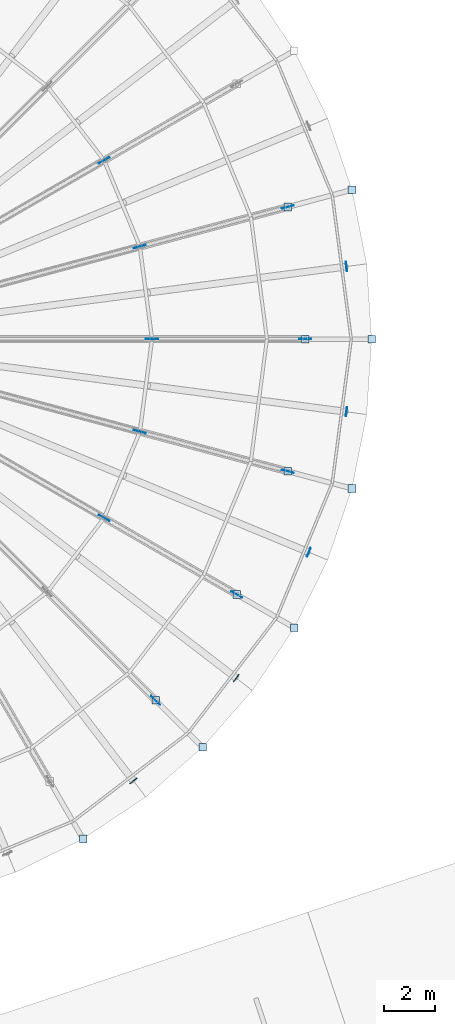
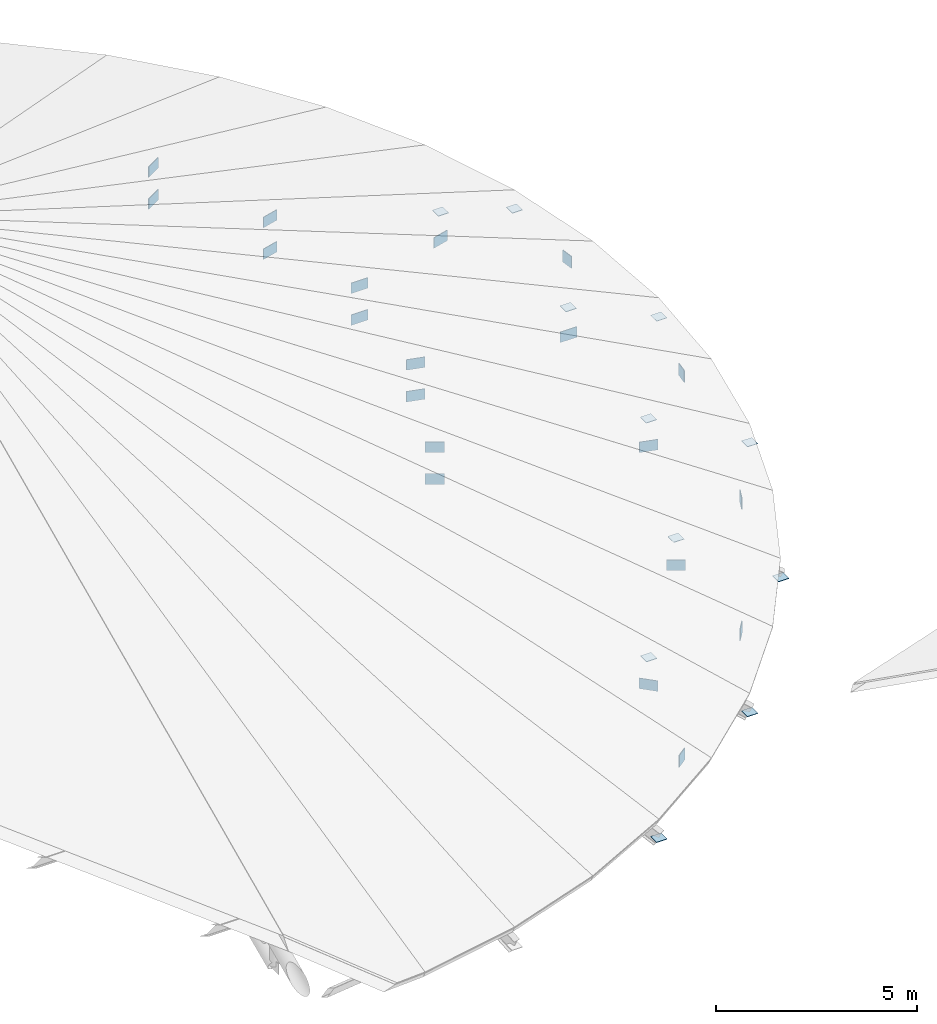
# One storey, part 94 of 107: 31 plates.
"""IFC4 building model written with IfcOpenShell, lengths in metres."""

from ifc_helpers import new_model, si_unit, derived_unit, direction, frame, origin, origin_2d, place, context, subcontext, project, spatial, rectangle, extrude, material, layer, layer_set, type_object, element, save


model = new_model("IFC4")

# Units and contexts
model_context = context("Model", 3, precision=1e-05, world=origin(), true_north=direction((0.0, 1.0)))
body_context = subcontext(model_context, "Body", "Model", "MODEL_VIEW")
ifc_project = project(units=[si_unit("LENGTHUNIT", "METRE"), si_unit("AREAUNIT", "SQUARE_METRE"), si_unit("VOLUMEUNIT", "CUBIC_METRE"), si_unit("PLANEANGLEUNIT", "RADIAN"), si_unit("MASSUNIT", "GRAM", prefix="KILO"), si_unit("THERMODYNAMICTEMPERATUREUNIT", "KELVIN"), si_unit("TIMEUNIT", "SECOND"), derived_unit("THERMALTRANSMITTANCEUNIT", [(si_unit("MASSUNIT", "GRAM", prefix="KILO"), 1), (si_unit("THERMODYNAMICTEMPERATUREUNIT", "KELVIN"), -1), (si_unit("TIMEUNIT", "SECOND"), -3)])], contexts=[model_context])

# Site, building, storey
site_placement = place(None, origin())
site = spatial("IfcSite", under=ifc_project, at=site_placement, CompositionType="ELEMENT")
building_placement = place(site_placement, origin())
building = spatial("IfcBuilding", under=site, at=building_placement, Name="Cambertide Market Hall", CompositionType="ELEMENT")
storey_placement = place(building_placement, frame((0.0, 0.0, 18.300048828125)))
storey = spatial("IfcBuildingStorey", under=building, at=storey_placement, Name="RF", CompositionType="ELEMENT", Elevation=18.300048828125)

# Plates
ifc_material_1 = material(Name="Steel S355", Category="steel")
ifc_layer_1 = layer(ifc_material_1, 0.013916015625, Name="Steel End Cap Plate EC-02")
ifc_layer_set_1 = layer_set([ifc_layer_1], Name="Steel S355")
plate_type_1 = type_object("IfcPlateType", Name="Steel End Cap Plate EC-02", PredefinedType="USERDEFINED", material=ifc_layer_set_1)
for number, where, z_axis, x_axis, name in (
    (1, (116.300048828125, 52.427734375, -10.7529296875), (0.0, 0.0, 1.0), (1.0, 0.0, 0.0), "EC-CONE-E-04"),
    (2, (120.980712890625, 56.019287109375, -10.7529296875), (0.0, 0.0, 1.0), (1.0, 0.0, 0.0), "EC-CONE-E-06"),
    (3, (124.572265625, 60.699951171875, -10.7529296875), (0.0, 0.0, 1.0), (1.0, 0.0, 0.0), "EC-CONE-E-08"),
    (4, (126.829833984375, 66.150634765625, -10.7529296875), (0.0, 0.0, 1.0), (1.0, 0.0, 0.0), "EC-CONE-E-10"),
    (5, (127.60009765625, 72.0, -10.7529296875), (0.0, 0.0, 1.0), (1.0, 0.0, 0.0), "EC-CONE-E-12"),
    (6, (126.829833984375, 77.849365234375, -10.7529296875), (0.0, 0.0, 1.0), (1.0, 0.0, 0.0), "EC-CONE-E-14"),
    (7, (119.14208984375, 57.85791015625, -9.55712890625), (0.0, 0.0, 1.0), (1.0, 0.0, 0.0), "High-Bay Brace Connection End Cap Plate EC-BRN-178"),
    (8, (122.320556640625, 62.0, -9.55712890625), (0.0, 0.0, 1.0), (1.0, 0.0, 0.0), "High-Bay Brace Connection End Cap Plate EC-BRN-184"),
    (9, (124.318603515625, 66.82373046875, -9.55712890625), (0.0, 0.0, 1.0), (1.0, 0.0, 0.0), "High-Bay Brace Connection End Cap Plate EC-BRN-190"),
    (10, (125.0, 72.0, -9.55712890625), (0.0, 0.0, 1.0), (1.0, 0.0, 0.0), "High-Bay Brace Connection End Cap Plate EC-BRN-196"),
    (11, (124.318603515625, 77.17626953125, -9.55712890625), (0.0, 0.0, 1.0), (1.0, 0.0, 0.0), "High-Bay Brace Connection End Cap Plate EC-BRN-202"),
):
    element("IfcPlate", number, at=place(storey_placement, frame(where, z_axis=z_axis, x_axis=x_axis)), inside=storey, type_object=plate_type_1, Name=name, ObjectType="END CAP PLATE", PredefinedType="USERDEFINED", context=body_context, shape_type="SweptSolid", body=[
        extrude(rectangle(XDim=0.300048828125, YDim=0.300048828125, at=origin_2d()), origin(), (0.0, 0.0, 1.0), 0.013916015625),
    ])
ifc_material_2 = material(Name="Steel S355", Category="steel")
ifc_layer_2 = layer(ifc_material_2, 0.02392578125, Name="Steel End Cap Plate EC-03E")
ifc_layer_set_2 = layer_set([ifc_layer_2], Name="Steel S355")
plate_type_2 = type_object("IfcPlateType", Name="Steel End Cap Plate EC-03E", PredefinedType="USERDEFINED", material=ifc_layer_set_2)
for number, where, z_axis, x_axis, name in (
    (12, (118.27099609375, 54.704833984375, -10.55810546875), (0.0, 0.0, 1.0), (0.608761429009, -0.793353340291, 0.0), "Eave Rafter End Cap Plate E-05"),
    (13, (122.295166015625, 58.72900390625, -10.55810546875), (0.0, 0.0, 1.0), (0.793353340291, -0.608761429009, 0.0), "Eave Rafter End Cap Plate E-07"),
    (14, (125.140625, 63.657470703125, -10.55810546875), (0.0, 0.0, 1.0), (0.923879532511, -0.382683432365, 0.0), "Eave Rafter End Cap Plate E-09"),
    (15, (126.613525390625, 69.154541015625, -10.55810546875), (0.0, 0.0, 1.0), (0.991444861374, -0.13052619222, 0.0), "Eave Rafter End Cap Plate E-11"),
    (16, (126.613525390625, 74.845458984375, -10.55810546875), (0.0, 0.0, 1.0), (0.991444861374, 0.13052619222, 0.0), "Eave Rafter End Cap Plate E-13"),
):
    element("IfcPlate", number, at=place(storey_placement, frame(where, z_axis=z_axis, x_axis=x_axis)), inside=storey, type_object=plate_type_2, Name=name, ObjectType="END CAP PLATE", PredefinedType="USERDEFINED", context=body_context, shape_type="SweptSolid", body=[
        extrude(rectangle(XDim=0.02392578125, YDim=0.360107421875, at=origin_2d()), origin(), (0.0, 0.0, 1.0), 0.360107421875),
    ])
ifc_material_3 = material(Name="Steel S355", Category="steel")
ifc_layer_3 = layer(ifc_material_3, 0.01806640625, Name="Steel Gusset Plate GP-02")
ifc_layer_set_3 = layer_set([ifc_layer_3], Name="Steel S355")
plate_type_3 = type_object("IfcPlateType", Name="Steel Gusset Plate GP-02", PredefinedType="USERDEFINED", material=ifc_layer_set_3)
for number, where, z_axis, x_axis, name in (
    (17, (119.14208984375, 57.85791015625, -10.5400390625), (0.0, 0.0, 1.0), (-0.707106781187, 0.707106781187, 0.0), "High-Bay Brace Connection Gusset Plate GP-BRN-176"),
    (18, (117.124267578125, 65.0, -7.916015625), (0.0, 0.0, 1.0), (-0.866025403784, 0.5, 0.0), "High-Bay Brace Connection Gusset Plate GP-BRN-180"),
    (19, (122.320556640625, 62.0, -10.5400390625), (0.0, 0.0, 1.0), (-0.866025403784, 0.5, 0.0), "High-Bay Brace Connection Gusset Plate GP-BRN-182"),
    (20, (117.124267578125, 65.0, -6.9501953125), (0.0, 0.0, 1.0), (-0.866025403784, 0.5, 0.0), "High-Bay Brace Connection Gusset Plate GP-BRN-183"),
    (21, (118.52294921875, 68.37646484375, -7.916015625), (0.0, 0.0, 1.0), (-0.965925826289, 0.258819045103, 0.0), "High-Bay Brace Connection Gusset Plate GP-BRN-186"),
    (22, (124.318603515625, 66.82373046875, -10.5400390625), (0.0, 0.0, 1.0), (-0.965925826289, 0.258819045103, 0.0), "High-Bay Brace Connection Gusset Plate GP-BRN-188"),
    (23, (118.52294921875, 68.37646484375, -6.9501953125), (0.0, 0.0, 1.0), (-0.965925826289, 0.258819045103, 0.0), "High-Bay Brace Connection Gusset Plate GP-BRN-189"),
    (24, (119.0, 72.0, -7.916015625), (0.0, 0.0, 1.0), (-1.0, 0.0, 0.0), "High-Bay Brace Connection Gusset Plate GP-BRN-192"),
    (25, (125.0, 72.0, -10.5400390625), (0.0, 0.0, 1.0), (-1.0, 0.0, 0.0), "High-Bay Brace Connection Gusset Plate GP-BRN-194"),
    (26, (119.0, 72.0, -6.9501953125), (0.0, 0.0, 1.0), (-1.0, 0.0, 0.0), "High-Bay Brace Connection Gusset Plate GP-BRN-195"),
    (27, (118.52294921875, 75.62353515625, -7.916015625), (0.0, 0.0, 1.0), (-0.965925826289, -0.258819045103, 0.0), "High-Bay Brace Connection Gusset Plate GP-BRN-198"),
    (28, (124.318603515625, 77.17626953125, -10.5400390625), (0.0, 0.0, 1.0), (-0.965925826289, -0.258819045103, 0.0), "High-Bay Brace Connection Gusset Plate GP-BRN-200"),
    (29, (118.52294921875, 75.62353515625, -6.9501953125), (0.0, 0.0, 1.0), (-0.965925826289, -0.258819045103, 0.0), "High-Bay Brace Connection Gusset Plate GP-BRN-201"),
    (30, (117.124267578125, 79.0, -7.916015625), (0.0, 0.0, 1.0), (-0.866025403784, -0.5, 0.0), "High-Bay Brace Connection Gusset Plate GP-BRN-204"),
    (31, (117.124267578125, 79.0, -6.9501953125), (0.0, 0.0, 1.0), (-0.866025403784, -0.5, 0.0), "High-Bay Brace Connection Gusset Plate GP-BRN-207"),
):
    element("IfcPlate", number, at=place(storey_placement, frame(where, z_axis=z_axis, x_axis=x_axis)), inside=storey, type_object=plate_type_3, Name=name, ObjectType="GUSSET PLATE", PredefinedType="USERDEFINED", context=body_context, shape_type="SweptSolid", body=[
        extrude(rectangle(XDim=0.47998046875, YDim=0.01806640625, at=origin_2d()), origin(), (0.0, 0.0, 1.0), 0.320068359375),
    ])

save(model, "model.ifc")
